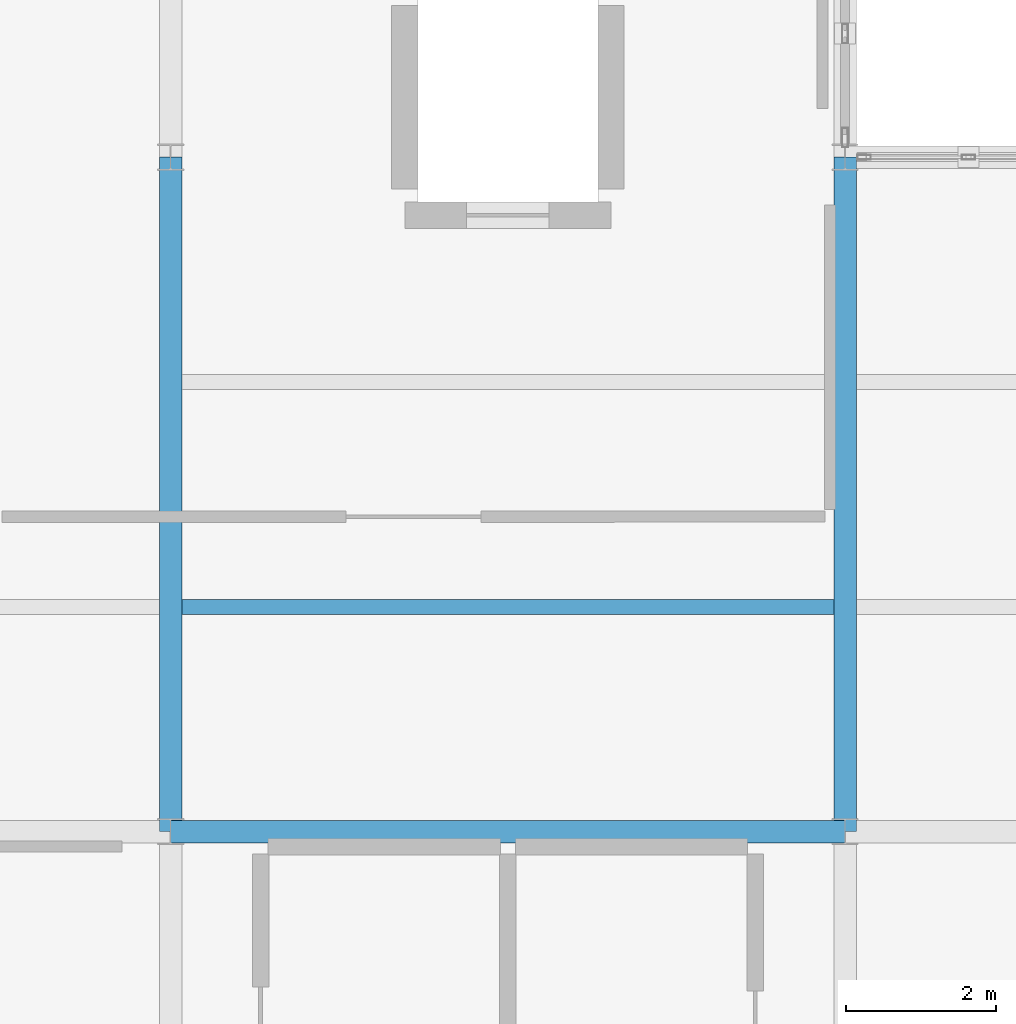
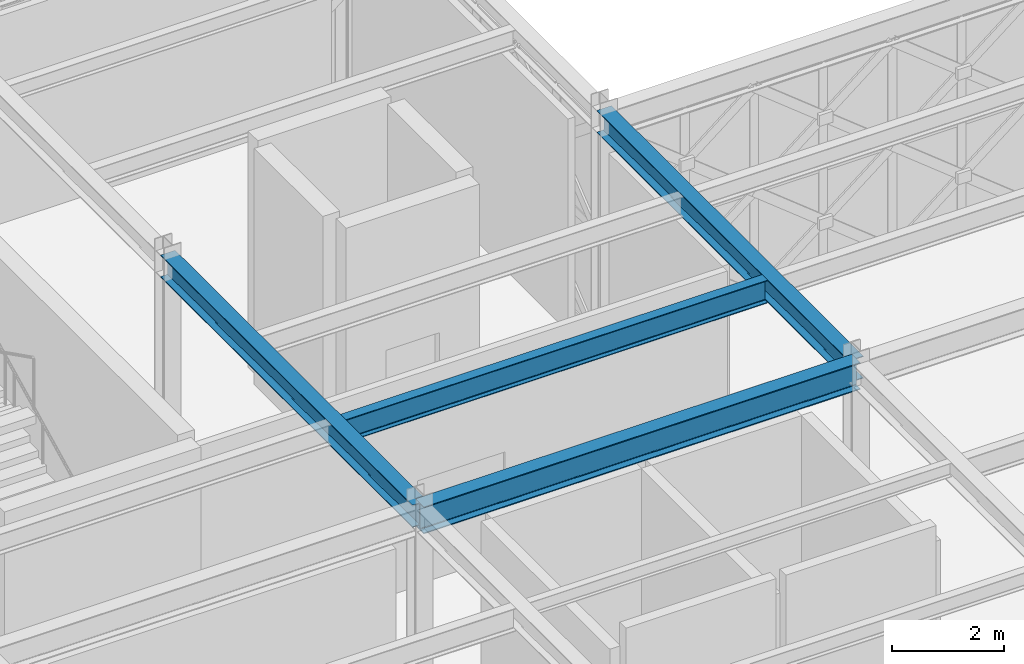
# One storey, part 34 of 166: 4 beams.
"""IFC4 building model written with IfcOpenShell, lengths in metres."""

import ifcopenshell
import ifcopenshell.guid

model = None  # the IFC model being written
_history = None  # IfcOwnerHistory: only IFC2X3 demands one
_inside = {}  # id of a spatial element -> (the spatial element, [elements in it])
_under = {}  # id of a project, library or spatial element -> (it, [spatial elements below it])
_declared = {}  # id of a project -> (the project, [libraries it declares])
_typed = {}  # id of a type object -> (the type object, [elements of that type])
_made_of = {}  # id of a material, layer set ... -> (it, [elements and type objects made of it])


def new_model(schema):
    """Start an empty IFC model of exactly this schema.

    Asked for "IFC4X3", IfcOpenShell would pick the latest addendum, in which some entities
    have other attributes; the version numbers below select the first issue.
    IFC2X3 requires an IfcOwnerHistory on every rooted entity: one is made here for all.
    """
    global model, _history
    if schema == "IFC4X3":
        model = ifcopenshell.file(schema_version=(4, 3, 0, 0))
    else:
        model = ifcopenshell.file(schema=schema)
    _inside.clear()
    _under.clear()
    _declared.clear()
    _typed.clear()
    _made_of.clear()
    _history = None
    if model.schema == "IFC2X3":
        org = make("IfcOrganization", Name="unknown")
        user = make(
            "IfcPersonAndOrganization",
            ThePerson=make("IfcPerson", FamilyName="unknown"),
            TheOrganization=org,
        )
        app = make(
            "IfcApplication",
            ApplicationDeveloper=org,
            Version="unknown",
            ApplicationFullName="unknown",
            ApplicationIdentifier="unknown",
        )
        _history = make(
            "IfcOwnerHistory",
            OwningUser=user,
            OwningApplication=app,
            ChangeAction="ADDED",
            CreationDate=0,
        )
    return model


def make(cls, **values):
    """One entity of the class cls with the attributes given. An attribute that is None is left unset."""
    return model.create_entity(
        cls, **{name: value for name, value in values.items() if value is not None}
    )


def rooted(cls, **values):
    """An entity with a GlobalId (a new one), such as an element, a storey or a relation."""
    return make(cls, GlobalId=ifcopenshell.guid.new(), OwnerHistory=_history, **values)


def si_unit(unit_type, name, prefix=None):
    """IfcSIUnit, for example si_unit("LENGTHUNIT", "METRE", prefix="MILLI")."""
    return make("IfcSIUnit", UnitType=unit_type, Prefix=prefix, Name=name)


def assignment(units):
    """IfcUnitAssignment: the units of a project."""
    return None if units is None else make("IfcUnitAssignment", Units=units)


def point(xyz):
    """IfcCartesianPoint."""
    return None if xyz is None else make("IfcCartesianPoint", Coordinates=xyz)


def direction(xyz):
    """IfcDirection."""
    return None if xyz is None else make("IfcDirection", DirectionRatios=xyz)


def frame(location, z_axis=None, x_axis=None):
    """IfcAxis2Placement3D, a coordinate frame: its origin and axes. An axis left out is left unset."""
    return make(
        "IfcAxis2Placement3D",
        Location=point(location),
        Axis=direction(z_axis),
        RefDirection=direction(x_axis),
    )


def frame_2d(location, x_axis=None):
    """IfcAxis2Placement2D, a coordinate frame in the plane: its origin and x axis."""
    return make(
        "IfcAxis2Placement2D", Location=point(location), RefDirection=direction(x_axis)
    )


def origin():
    """The frame at (0, 0, 0) with its axes left unset."""
    return frame((0.0, 0.0, 0.0))


def origin_2d():
    """The frame at (0, 0) in the plane with its x axis left unset."""
    return frame_2d((0.0, 0.0))


def place(relative_to, where):
    """IfcLocalPlacement: puts the frame where relative to a parent placement (None: the world)."""
    return make(
        "IfcLocalPlacement", PlacementRelTo=relative_to, RelativePlacement=where
    )


def context(
    kind, dimensions, precision=None, world=None, true_north=None, identifier=None
):
    """IfcGeometricRepresentationContext, for example the 3D "Model" context."""
    return make(
        "IfcGeometricRepresentationContext",
        ContextIdentifier=identifier,
        ContextType=kind,
        CoordinateSpaceDimension=dimensions,
        Precision=precision,
        WorldCoordinateSystem=world,
        TrueNorth=true_north,
    )


def subcontext(parent, identifier, kind, view, scale=None):
    """IfcGeometricRepresentationSubContext, for example "Body" below "Model"."""
    return make(
        "IfcGeometricRepresentationSubContext",
        ContextIdentifier=identifier,
        ContextType=kind,
        ParentContext=parent,
        TargetScale=scale,
        TargetView=view,
    )


def project(units=None, contexts=None):
    """IfcProject with its units and contexts."""
    return rooted(
        "IfcProject",
        Name="project",
        RepresentationContexts=contexts,
        UnitsInContext=assignment(units),
    )


def spatial(cls, under=None, at=None, **own):
    """A site, building, storey or space (cls), placed at a placement, below another one or the project."""
    s = rooted(cls, ObjectPlacement=at, **own)
    if under is not None:
        _under.setdefault(under.id(), (under, []))[1].append(s)
    return s


def profile(cls, at=None, kind="AREA", **sizes):
    """A parametric profile (cls). Its sizes go by their IFC names, for example OverallWidth=200.0."""
    return make(cls, ProfileType=kind, Position=at, **sizes)


def i_section(**sizes):
    """IfcIShapeProfileDef."""
    return profile("IfcIShapeProfileDef", **sizes)


def extrude(swept, where, along, depth):
    """IfcExtrudedAreaSolid: the profile swept, set in the frame where, extruded along a direction by depth."""
    return make(
        "IfcExtrudedAreaSolid",
        SweptArea=swept,
        Position=where,
        ExtrudedDirection=direction(along),
        Depth=depth,
    )


def shape(context_of_items, identifier, shape_type, items):
    """IfcShapeRepresentation: the items that make up one representation, for example the "Body"."""
    return make(
        "IfcShapeRepresentation",
        ContextOfItems=context_of_items,
        RepresentationIdentifier=identifier,
        RepresentationType=shape_type,
        Items=items,
    )


def material(Name=None, Category=None):
    """IfcMaterial."""
    return make("IfcMaterial", Name=Name, Category=Category)


def material_profile(
    of_material, cross_section, Name=None, Category=None, Priority=None
):
    """IfcMaterialProfile: a cross section and its material."""
    return make(
        "IfcMaterialProfile",
        Name=Name,
        Material=of_material,
        Profile=cross_section,
        Priority=Priority,
        Category=Category,
    )


def profile_set(profiles, Name=None, composite=None):
    """IfcMaterialProfileSet."""
    return make(
        "IfcMaterialProfileSet",
        Name=Name,
        MaterialProfiles=profiles,
        CompositeProfile=composite,
    )


def made_of(thing, what):
    """Note that an element or type object is made of a material, layer set ...; save() writes the relation."""
    if what is not None:
        _made_of.setdefault(what.id(), (what, []))[1].append(thing)
    return thing


def type_object(cls, material=None, **own):
    """A type object (cls), such as IfcWallType, which elements share."""
    return made_of(rooted(cls, **own), material)


def element(
    cls,
    number,
    at=None,
    inside=None,
    cuts=None,
    type_object=None,
    material=None,
    context=None,
    identifier="Body",
    shape_type=None,
    held_by="IfcProductDefinitionShape",
    body=None,
    shapes=None,
    **own,
):
    """One element of the class cls, such as IfcWall. Its Tag is "e" and its number.

    at: its placement. inside: the storey or other place that contains it. cuts: it is an
    opening in that element (IfcRelVoidsElement). A single representation is given by context,
    identifier, shape_type and body (its items); several are given by shapes. held_by: the class
    of the entity that holds the representations. save() writes the other relations.
    """
    e = rooted(cls, Tag="e%d" % number, ObjectPlacement=at, **own)
    if body is not None:
        shapes = [shape(context, identifier, shape_type, body)]
    if shapes is not None:
        e.Representation = make(held_by, Representations=shapes)
    if inside is not None:
        _inside.setdefault(inside.id(), (inside, []))[1].append(e)
    if cuts is not None:
        rooted(
            "IfcRelVoidsElement", RelatingBuildingElement=cuts, RelatedOpeningElement=e
        )
    if type_object is not None:
        _typed.setdefault(type_object.id(), (type_object, []))[1].append(e)
    return made_of(e, material)


def aggregate(whole, parts):
    """IfcRelAggregates: a whole, such as a stair, and the parts it consists of."""
    return rooted("IfcRelAggregates", RelatingObject=whole, RelatedObjects=parts)


def save(model, path):
    """Write the relations noted so far, then the file.

    IfcRelAggregates (storeys below a building ...), IfcRelContainedInSpatialStructure (elements
    in a storey), IfcRelDefinesByType, IfcRelAssociatesMaterial and IfcRelDeclares: one each for
    every whole, place, type object, material and project.
    """
    for whole, parts in _under.values():
        aggregate(whole, parts)
    for where, things in _inside.values():
        rooted(
            "IfcRelContainedInSpatialStructure",
            RelatedElements=things,
            RelatingStructure=where,
        )
    for kind, things in _typed.values():
        rooted("IfcRelDefinesByType", RelatedObjects=things, RelatingType=kind)
    for what, things in _made_of.values():
        rooted("IfcRelAssociatesMaterial", RelatedObjects=things, RelatingMaterial=what)
    for by, libraries in _declared.values():
        rooted("IfcRelDeclares", RelatingContext=by, RelatedDefinitions=libraries)
    model.write(path)


model = new_model("IFC4")

# Units and contexts
model_context = context("Model", 3, precision=1e-05, world=origin(), true_north=direction((0.0, 1.0)))
body_context = subcontext(model_context, "Body", "Model", "MODEL_VIEW")
ifc_project = project(units=[si_unit("LENGTHUNIT", "METRE"), si_unit("AREAUNIT", "SQUARE_METRE"), si_unit("VOLUMEUNIT", "CUBIC_METRE"), si_unit("PLANEANGLEUNIT", "RADIAN"), si_unit("MASSUNIT", "GRAM", prefix="KILO")], contexts=[model_context])

# Site, building, storey
site_placement = place(None, origin())
site = spatial("IfcSite", under=ifc_project, at=site_placement, CompositionType="ELEMENT")
building_placement = place(site_placement, origin())
building = spatial("IfcBuilding", under=site, at=building_placement, Name="Haizhuo Lancet Aquarium", CompositionType="ELEMENT")
storey_placement = place(building_placement, frame((0.0, 0.0, 5.39990234375)))
storey = spatial("IfcBuildingStorey", under=building, at=storey_placement, Name="L01", CompositionType="ELEMENT", Elevation=5.39990234375)

# Beams
ifc_material = material(Name="Steel S355", Category="steel")
ifc_material_profile_1 = material_profile(ifc_material, i_section(OverallWidth=0.300048828125, OverallDepth=0.488037109375, WebThickness=0.010986328125, FlangeThickness=0.01806640625, FilletRadius=0.02392578125, at=origin_2d()), Name="HM 488x300x11x18")
ifc_profile_set_1 = profile_set([ifc_material_profile_1], Name="Steel S355")
beam_type_1 = type_object("IfcBeamType", Name="BM-ST-HM488", PredefinedType="BEAM", material=ifc_profile_set_1)
for number, where, z_axis, x_axis, name in (
    (1, (0.0, -45.0, 4.89599609375), (0.0, 1.0, 0.0), (-1.0, 0.0, 0.0), "L01 V4 primary girder BM-L01-V4-016"),
    (2, (9.0, -45.0, 4.89599609375), (0.0, 1.0, 0.0), (-1.0, 0.0, 0.0), "L01 V4 primary girder BM-L01-V4-022"),
):
    element("IfcBeam", number, at=place(storey_placement, frame(where, z_axis=z_axis, x_axis=x_axis)), inside=storey, type_object=beam_type_1, Name=name, PredefinedType="BEAM", context=body_context, shape_type="SweptSolid", body=[
        extrude(i_section(OverallWidth=0.300048828125, OverallDepth=0.488037109375, WebThickness=0.010986328125, FlangeThickness=0.01806640625, FilletRadius=0.02392578125, at=origin_2d()), origin(), (0.0, 0.0, 1.0), 9.0),
    ])
ifc_material_profile_2 = material_profile(ifc_material, i_section(OverallWidth=0.300048828125, OverallDepth=0.587890625, WebThickness=0.011962890625, FlangeThickness=0.02001953125, FilletRadius=0.02587890625, at=origin_2d()), Name="HM 588x300x12x20")
ifc_profile_set_2 = profile_set([ifc_material_profile_2], Name="Steel S355")
beam_type_2 = type_object("IfcBeamType", Name="BM-ST-HM588", PredefinedType="BEAM", material=ifc_profile_set_2)
beam_1_placement = place(storey_placement, frame((0.0, -45.0, 4.84619140625), z_axis=(1.0, 0.0, 0.0), x_axis=(0.0, 1.0, 0.0)))
element("IfcBeam", 3, at=beam_1_placement, inside=storey, type_object=beam_type_2, Name="L01 V4 primary girder BM-L01-V4-017", PredefinedType="BEAM", context=body_context, shape_type="SweptSolid", body=[
    extrude(i_section(OverallWidth=0.300048828125, OverallDepth=0.587890625, WebThickness=0.011962890625, FlangeThickness=0.02001953125, FilletRadius=0.02587890625, at=origin_2d()), origin(), (0.0, 0.0, 1.0), 9.0),
])
ifc_material_profile_3 = material_profile(ifc_material, i_section(OverallWidth=0.199951171875, OverallDepth=0.5, WebThickness=0.010009765625, FlangeThickness=0.01611328125, FilletRadius=0.02001953125, at=origin_2d()), Name="HN 500x200x10x16")
ifc_profile_set_3 = profile_set([ifc_material_profile_3], Name="Steel S355")
beam_type_3 = type_object("IfcBeamType", Name="JST-ST-HN500", PredefinedType="JOIST", material=ifc_profile_set_3)
beam_2_placement = place(storey_placement, frame((0.14990234375, -42.0, 4.89013671875), z_axis=(1.0, 0.0, 0.0), x_axis=(0.0, 1.0, 0.0)))
element("IfcBeam", 4, at=beam_2_placement, inside=storey, type_object=beam_type_3, Name="L01 V4 secondary floor joist 13", PredefinedType="JOIST", context=body_context, shape_type="SweptSolid", body=[
    extrude(i_section(OverallWidth=0.199951171875, OverallDepth=0.5, WebThickness=0.010009765625, FlangeThickness=0.01611328125, FilletRadius=0.02001953125, at=origin_2d()), origin(), (0.0, 0.0, 1.0), 8.7001953125),
])

save(model, "model.ifc")
